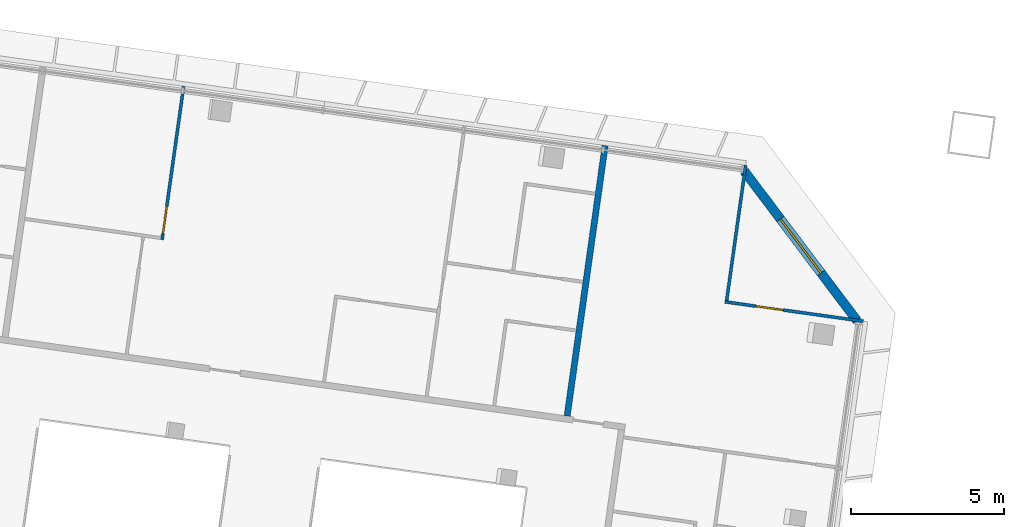
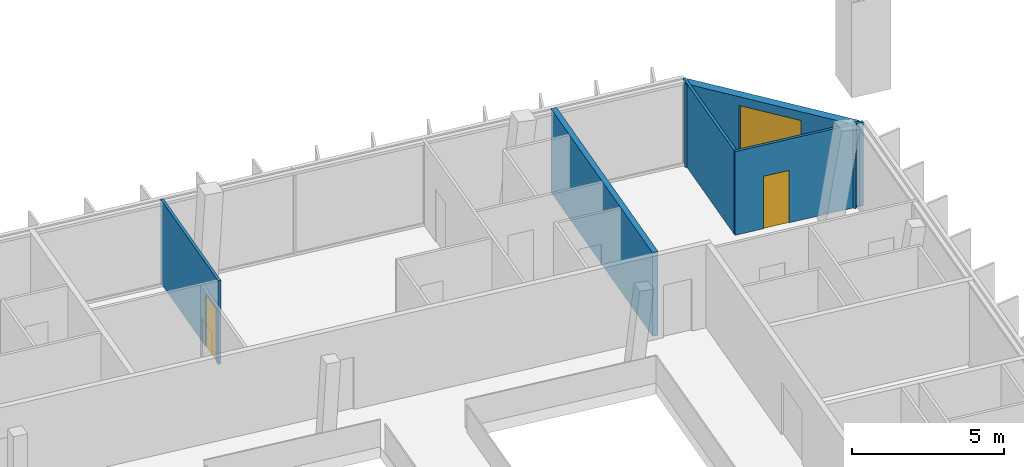
# One storey, part 16 of 23: 5 walls, 2 doors, 1 window, 3 openings.
"""IFC4 building model written with IfcOpenShell, lengths in metres."""

import ifcopenshell
import ifcopenshell.guid

model = None  # the IFC model being written
_history = None  # IfcOwnerHistory: only IFC2X3 demands one
_inside = {}  # id of a spatial element -> (the spatial element, [elements in it])
_under = {}  # id of a project, library or spatial element -> (it, [spatial elements below it])
_declared = {}  # id of a project -> (the project, [libraries it declares])
_typed = {}  # id of a type object -> (the type object, [elements of that type])
_made_of = {}  # id of a material, layer set ... -> (it, [elements and type objects made of it])


def new_model(schema):
    """Start an empty IFC model of exactly this schema.

    Asked for "IFC4X3", IfcOpenShell would pick the latest addendum, in which some entities
    have other attributes; the version numbers below select the first issue.
    IFC2X3 requires an IfcOwnerHistory on every rooted entity: one is made here for all.
    """
    global model, _history
    if schema == "IFC4X3":
        model = ifcopenshell.file(schema_version=(4, 3, 0, 0))
    else:
        model = ifcopenshell.file(schema=schema)
    _inside.clear()
    _under.clear()
    _declared.clear()
    _typed.clear()
    _made_of.clear()
    _history = None
    if model.schema == "IFC2X3":
        org = make("IfcOrganization", Name="unknown")
        user = make(
            "IfcPersonAndOrganization",
            ThePerson=make("IfcPerson", FamilyName="unknown"),
            TheOrganization=org,
        )
        app = make(
            "IfcApplication",
            ApplicationDeveloper=org,
            Version="unknown",
            ApplicationFullName="unknown",
            ApplicationIdentifier="unknown",
        )
        _history = make(
            "IfcOwnerHistory",
            OwningUser=user,
            OwningApplication=app,
            ChangeAction="ADDED",
            CreationDate=0,
        )
    return model


def make(cls, **values):
    """One entity of the class cls with the attributes given. An attribute that is None is left unset."""
    return model.create_entity(
        cls, **{name: value for name, value in values.items() if value is not None}
    )


def rooted(cls, **values):
    """An entity with a GlobalId (a new one), such as an element, a storey or a relation."""
    return make(cls, GlobalId=ifcopenshell.guid.new(), OwnerHistory=_history, **values)


def si_unit(unit_type, name, prefix=None):
    """IfcSIUnit, for example si_unit("LENGTHUNIT", "METRE", prefix="MILLI")."""
    return make("IfcSIUnit", UnitType=unit_type, Prefix=prefix, Name=name)


def assignment(units):
    """IfcUnitAssignment: the units of a project."""
    return None if units is None else make("IfcUnitAssignment", Units=units)


def point(xyz):
    """IfcCartesianPoint."""
    return None if xyz is None else make("IfcCartesianPoint", Coordinates=xyz)


def direction(xyz):
    """IfcDirection."""
    return None if xyz is None else make("IfcDirection", DirectionRatios=xyz)


def frame(location, z_axis=None, x_axis=None):
    """IfcAxis2Placement3D, a coordinate frame: its origin and axes. An axis left out is left unset."""
    return make(
        "IfcAxis2Placement3D",
        Location=point(location),
        Axis=direction(z_axis),
        RefDirection=direction(x_axis),
    )


def frame_2d(location, x_axis=None):
    """IfcAxis2Placement2D, a coordinate frame in the plane: its origin and x axis."""
    return make(
        "IfcAxis2Placement2D", Location=point(location), RefDirection=direction(x_axis)
    )


def origin():
    """The frame at (0, 0, 0) with its axes left unset."""
    return frame((0.0, 0.0, 0.0))


def place(relative_to, where):
    """IfcLocalPlacement: puts the frame where relative to a parent placement (None: the world)."""
    return make(
        "IfcLocalPlacement", PlacementRelTo=relative_to, RelativePlacement=where
    )


def context(
    kind, dimensions, precision=None, world=None, true_north=None, identifier=None
):
    """IfcGeometricRepresentationContext, for example the 3D "Model" context."""
    return make(
        "IfcGeometricRepresentationContext",
        ContextIdentifier=identifier,
        ContextType=kind,
        CoordinateSpaceDimension=dimensions,
        Precision=precision,
        WorldCoordinateSystem=world,
        TrueNorth=true_north,
    )


def subcontext(parent, identifier, kind, view, scale=None):
    """IfcGeometricRepresentationSubContext, for example "Body" below "Model"."""
    return make(
        "IfcGeometricRepresentationSubContext",
        ContextIdentifier=identifier,
        ContextType=kind,
        ParentContext=parent,
        TargetScale=scale,
        TargetView=view,
    )


def project(units=None, contexts=None):
    """IfcProject with its units and contexts."""
    return rooted(
        "IfcProject",
        Name="project",
        RepresentationContexts=contexts,
        UnitsInContext=assignment(units),
    )


def spatial(cls, under=None, at=None, **own):
    """A site, building, storey or space (cls), placed at a placement, below another one or the project."""
    s = rooted(cls, ObjectPlacement=at, **own)
    if under is not None:
        _under.setdefault(under.id(), (under, []))[1].append(s)
    return s


def profile(cls, at=None, kind="AREA", **sizes):
    """A parametric profile (cls). Its sizes go by their IFC names, for example OverallWidth=200.0."""
    return make(cls, ProfileType=kind, Position=at, **sizes)


def rectangle(**sizes):
    """IfcRectangleProfileDef."""
    return profile("IfcRectangleProfileDef", **sizes)


def extrude(swept, where, along, depth):
    """IfcExtrudedAreaSolid: the profile swept, set in the frame where, extruded along a direction by depth."""
    return make(
        "IfcExtrudedAreaSolid",
        SweptArea=swept,
        Position=where,
        ExtrudedDirection=direction(along),
        Depth=depth,
    )


def shape(context_of_items, identifier, shape_type, items):
    """IfcShapeRepresentation: the items that make up one representation, for example the "Body"."""
    return make(
        "IfcShapeRepresentation",
        ContextOfItems=context_of_items,
        RepresentationIdentifier=identifier,
        RepresentationType=shape_type,
        Items=items,
    )


def material(Name=None, Category=None):
    """IfcMaterial."""
    return make("IfcMaterial", Name=Name, Category=Category)


def layer(
    of_material, thickness, ventilated=None, Name=None, Category=None, Priority=None
):
    """IfcMaterialLayer: one layer of a wall or slab, of a material (None: an air gap)."""
    return make(
        "IfcMaterialLayer",
        Material=of_material,
        LayerThickness=thickness,
        IsVentilated=ventilated,
        Name=Name,
        Category=Category,
        Priority=Priority,
    )


def layer_set(layers, Name=None):
    """IfcMaterialLayerSet."""
    return make("IfcMaterialLayerSet", MaterialLayers=layers, LayerSetName=Name)


def made_of(thing, what):
    """Note that an element or type object is made of a material, layer set ...; save() writes the relation."""
    if what is not None:
        _made_of.setdefault(what.id(), (what, []))[1].append(thing)
    return thing


def type_object(cls, material=None, **own):
    """A type object (cls), such as IfcWallType, which elements share."""
    return made_of(rooted(cls, **own), material)


def element(
    cls,
    number,
    at=None,
    inside=None,
    cuts=None,
    type_object=None,
    material=None,
    context=None,
    identifier="Body",
    shape_type=None,
    held_by="IfcProductDefinitionShape",
    body=None,
    shapes=None,
    **own,
):
    """One element of the class cls, such as IfcWall. Its Tag is "e" and its number.

    at: its placement. inside: the storey or other place that contains it. cuts: it is an
    opening in that element (IfcRelVoidsElement). A single representation is given by context,
    identifier, shape_type and body (its items); several are given by shapes. held_by: the class
    of the entity that holds the representations. save() writes the other relations.
    """
    e = rooted(cls, Tag="e%d" % number, ObjectPlacement=at, **own)
    if body is not None:
        shapes = [shape(context, identifier, shape_type, body)]
    if shapes is not None:
        e.Representation = make(held_by, Representations=shapes)
    if inside is not None:
        _inside.setdefault(inside.id(), (inside, []))[1].append(e)
    if cuts is not None:
        rooted(
            "IfcRelVoidsElement", RelatingBuildingElement=cuts, RelatedOpeningElement=e
        )
    if type_object is not None:
        _typed.setdefault(type_object.id(), (type_object, []))[1].append(e)
    return made_of(e, material)


def fill(opening, filler):
    """IfcRelFillsElement: the door or window that sits in an opening."""
    return rooted(
        "IfcRelFillsElement",
        RelatingOpeningElement=opening,
        RelatedBuildingElement=filler,
    )


def aggregate(whole, parts):
    """IfcRelAggregates: a whole, such as a stair, and the parts it consists of."""
    return rooted("IfcRelAggregates", RelatingObject=whole, RelatedObjects=parts)


def save(model, path):
    """Write the relations noted so far, then the file.

    IfcRelAggregates (storeys below a building ...), IfcRelContainedInSpatialStructure (elements
    in a storey), IfcRelDefinesByType, IfcRelAssociatesMaterial and IfcRelDeclares: one each for
    every whole, place, type object, material and project.
    """
    for whole, parts in _under.values():
        aggregate(whole, parts)
    for where, things in _inside.values():
        rooted(
            "IfcRelContainedInSpatialStructure",
            RelatedElements=things,
            RelatingStructure=where,
        )
    for kind, things in _typed.values():
        rooted("IfcRelDefinesByType", RelatedObjects=things, RelatingType=kind)
    for what, things in _made_of.values():
        rooted("IfcRelAssociatesMaterial", RelatedObjects=things, RelatingMaterial=what)
    for by, libraries in _declared.values():
        rooted("IfcRelDeclares", RelatingContext=by, RelatedDefinitions=libraries)
    model.write(path)


model = new_model("IFC4")

# Units and contexts
model_context = context("Model", 3, precision=1e-05, world=origin(), true_north=direction((0.0, 1.0)))
body_context = subcontext(model_context, "Body", "Model", "MODEL_VIEW")
ifc_project = project(units=[si_unit("LENGTHUNIT", "METRE"), si_unit("AREAUNIT", "SQUARE_METRE"), si_unit("VOLUMEUNIT", "CUBIC_METRE"), si_unit("PLANEANGLEUNIT", "RADIAN"), si_unit("MASSUNIT", "GRAM", prefix="KILO")], contexts=[model_context])

# Site, building, storey
site_placement = place(None, origin())
site = spatial("IfcSite", under=ifc_project, at=site_placement, CompositionType="ELEMENT")
building_placement = place(site_placement, origin())
building = spatial("IfcBuilding", under=site, at=building_placement, Name="Mirante Cascada Hotel Towers", CompositionType="ELEMENT")
storey_placement = place(building_placement, frame((0.0, 0.0, 220.4)))
storey = spatial("IfcBuildingStorey", under=building, at=storey_placement, Name="L52", CompositionType="ELEMENT", Elevation=220.4)

# Wall
ifc_material_1 = material(Name="Fire-rated plasterboard on metal studs")
ifc_layer_1 = layer(ifc_material_1, 0.2)
ifc_layer_set_1 = layer_set([ifc_layer_1], Name="Compartment wall 200 EI 120")
wall_type_1 = type_object("IfcWallType", Name="Compartment wall 200 EI 120", PredefinedType="PARTITIONING", material=ifc_layer_set_1)
wall_1_placement = place(storey_placement, frame((-32.0765, 8.4911, 0.0), z_axis=(0.0, 0.0, 1.0), x_axis=(0.1391684, 0.9902687, 0.0)))
element("IfcWall", 1, at=wall_1_placement, inside=storey, type_object=wall_type_1, Name="Wall 1-L52-37", PredefinedType="PARTITIONING", context=body_context, shape_type="SweptSolid", body=[
    extrude(rectangle(XDim=8.9, YDim=0.2, at=frame_2d((4.45, 0.0))), origin(), (0.0, 0.0, 1.0), 3.35),
])

# Wall, opening, door
ifc_material_2 = material(Name="Plasterboard on metal studs")
ifc_layer_2 = layer(ifc_material_2, 0.1)
ifc_layer_set_2 = layer_set([ifc_layer_2], Name="Partition 100")
wall_type_2 = type_object("IfcWallType", Name="Partition 100", PredefinedType="PARTITIONING", material=ifc_layer_set_2)
wall_2_placement = place(storey_placement, frame((-26.9358, 12.2119, 0.0), z_axis=(0.0, 0.0, 1.0), x_axis=(0.9902661, -0.1391871, 0.0)))
wall_2 = element("IfcWall", 2, at=wall_2_placement, inside=storey, type_object=wall_type_2, Name="Wall 1-L52-24", PredefinedType="PARTITIONING", context=body_context, shape_type="SweptSolid", body=[
    extrude(rectangle(XDim=4.55, YDim=0.1, at=frame_2d((2.275, 0.0))), origin(), (0.0, 0.0, 1.0), 3.35),
])
opening_1_placement = place(wall_2_placement, frame((1.0174, 0.0, 0.0)))
opening_1 = element("IfcOpeningElement", 3, at=opening_1_placement, cuts=wall_2, Name="Opening D1-L52-16", PredefinedType="OPENING", context=body_context, shape_type="SweptSolid", body=[
    extrude(rectangle(XDim=0.9, YDim=2.1, at=frame_2d((0.45, 1.05))), frame((0.0, 0.05, 0.0), z_axis=(0.0, -1.0, 0.0), x_axis=(1.0, 0.0, 0.0)), (0.0, 0.0, 1.0), 0.1),
])
ifc_material_3 = material(Name="Timber door leaf", Category="wood")
door_type = type_object("IfcDoorType", Name="Room door DG3 900x2100", OperationType="SINGLE_SWING_LEFT", PredefinedType="DOOR", material=ifc_material_3)
door_1_placement = place(opening_1_placement, frame((0.9, 0.0, 0.0), z_axis=(0.0, 0.0, 1.0), x_axis=(-1.0, 0.0, 0.0)))
door_1 = element("IfcDoor", 4, at=door_1_placement, inside=storey, type_object=door_type, Name="Door D1-L52-16", OperationType="SINGLE_SWING_RIGHT", OverallHeight=2.1, OverallWidth=0.9, PredefinedType="DOOR", context=body_context, shape_type="SweptSolid", body=[
    extrude(rectangle(XDim=0.9, YDim=2.1, at=frame_2d((0.45, 1.05))), frame((0.0, 0.025, 0.0), z_axis=(0.0, -1.0, 0.0), x_axis=(1.0, 0.0, 0.0)), (0.0, 0.0, 1.0), 0.05),
])
fill(opening_1, door_1)

# Wall
wall_3_placement = place(storey_placement, frame((-26.8793, 12.2544, 0.0), z_axis=(0.0, 0.0, 1.0), x_axis=(0.1391684, 0.9902687, 0.0)))
element("IfcWall", 5, at=wall_3_placement, inside=storey, type_object=wall_type_2, Name="Wall 1-L52-35", PredefinedType="PARTITIONING", context=body_context, shape_type="SweptSolid", body=[
    extrude(rectangle(XDim=4.45, YDim=0.1, at=frame_2d((2.225, 0.0))), origin(), (0.0, 0.0, 1.0), 3.35),
])

# Wall, opening, door
wall_4_placement = place(storey_placement, frame((-44.5718, 19.2347, 0.0), z_axis=(0.0, 0.0, 1.0), x_axis=(-0.1391671, -0.9902689, 0.0)))
wall_4 = element("IfcWall", 6, at=wall_4_placement, inside=storey, type_object=wall_type_2, Name="Wall 1-L52-42", PredefinedType="PARTITIONING", context=body_context, shape_type="SweptSolid", body=[
    extrude(rectangle(XDim=5.05, YDim=0.1, at=frame_2d((2.525, 0.0))), origin(), (0.0, 0.0, 1.0), 3.35),
])
opening_2_placement = place(wall_4_placement, frame((3.95, 0.0, 0.0)))
opening_2 = element("IfcOpeningElement", 7, at=opening_2_placement, cuts=wall_4, Name="Opening D1-L52-27", PredefinedType="OPENING", context=body_context, shape_type="SweptSolid", body=[
    extrude(rectangle(XDim=0.9, YDim=2.1, at=frame_2d((0.45, 1.05))), frame((0.0, 0.05, 0.0), z_axis=(0.0, -1.0, 0.0), x_axis=(1.0, 0.0, 0.0)), (0.0, 0.0, 1.0), 0.1),
])
door_2_placement = place(opening_2_placement, origin())
door_2 = element("IfcDoor", 8, at=door_2_placement, inside=storey, type_object=door_type, Name="Door D1-L52-27", OperationType="SINGLE_SWING_LEFT", OverallHeight=2.1, OverallWidth=0.9, PredefinedType="DOOR", context=body_context, shape_type="SweptSolid", body=[
    extrude(rectangle(XDim=0.9, YDim=2.1, at=frame_2d((0.45, 1.05))), frame((0.0, 0.025, 0.0), z_axis=(0.0, -1.0, 0.0), x_axis=(1.0, 0.0, 0.0)), (0.0, 0.0, 1.0), 0.05),
])
fill(opening_2, door_2)

# Wall, opening, window
ifc_material_4 = material(Name="Precast concrete C40/50", Category="concrete")
ifc_layer_3 = layer(ifc_material_4, 0.3)
ifc_layer_set_3 = layer_set([ifc_layer_3], Name="Precast concrete C40/50 cladding wall 300")
wall_type_3 = type_object("IfcWallType", Name="Precast concrete C40/50 cladding wall 300", PredefinedType="STANDARD", material=ifc_layer_set_3)
wall_5_placement = place(storey_placement, frame((-26.305, 16.4717, 0.0), z_axis=(0.0, 0.0, 1.0), x_axis=(0.6018141, -0.7986362, 0.0)))
wall_5 = element("IfcWall", 9, at=wall_5_placement, inside=storey, type_object=wall_type_3, Name="Corner cladding wall T1 L52 front inner", PredefinedType="STANDARD", context=body_context, shape_type="SweptSolid", body=[
    extrude(rectangle(XDim=6.1157, YDim=0.3, at=frame_2d((3.0578, 0.0))), origin(), (0.0, 0.0, 1.0), 3.35),
])
opening_3_placement = place(wall_5_placement, frame((1.9578, 0.0, 0.6)))
opening_3 = element("IfcOpeningElement", 10, at=opening_3_placement, cuts=wall_5, Name="Opening W1-52-04", PredefinedType="OPENING", context=body_context, shape_type="SweptSolid", body=[
    extrude(rectangle(XDim=2.2, YDim=2.4, at=frame_2d((1.1, 1.2))), frame((0.0, 0.15, 0.0), z_axis=(0.0, -1.0, 0.0), x_axis=(1.0, 0.0, 0.0)), (0.0, 0.0, 1.0), 0.3),
])
ifc_material_5 = material(Name="Aluminium frame with clear double glazing", Category="aluminium")
window_type = type_object("IfcWindowType", Name="Corner suite window 2200x2400", PartitioningType="DOUBLE_PANEL_VERTICAL", PredefinedType="WINDOW", material=ifc_material_5)
window_placement = place(opening_3_placement, origin())
window = element("IfcWindow", 11, at=window_placement, inside=storey, type_object=window_type, Name="Window W1-52-04", OverallHeight=2.4, OverallWidth=2.2, PartitioningType="SINGLE_PANEL", PredefinedType="WINDOW", context=body_context, shape_type="SweptSolid", body=[
    extrude(rectangle(XDim=2.2, YDim=2.4, at=frame_2d((1.1, 1.2))), frame((0.0, 0.03, 0.0), z_axis=(0.0, -1.0, 0.0), x_axis=(1.0, 0.0, 0.0)), (0.0, 0.0, 1.0), 0.06),
])
fill(opening_3, window)

save(model, "model.ifc")
